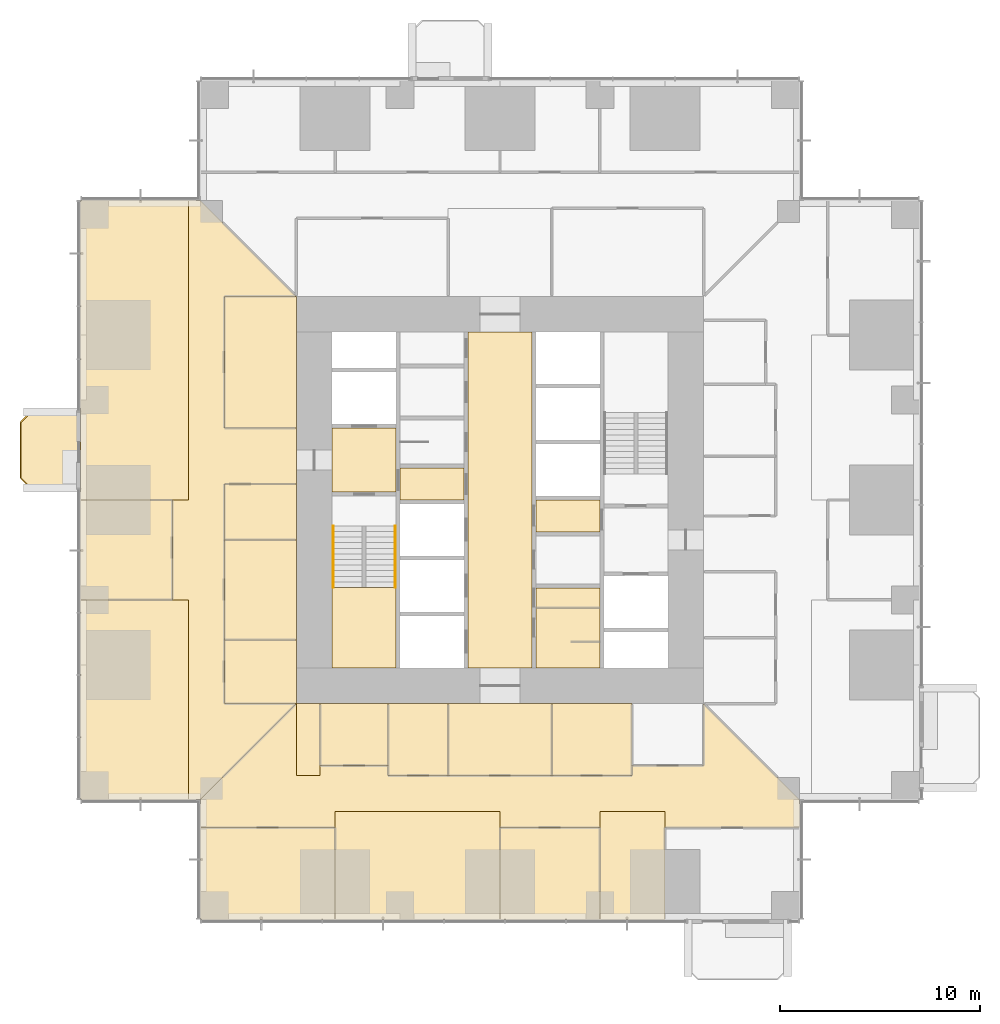
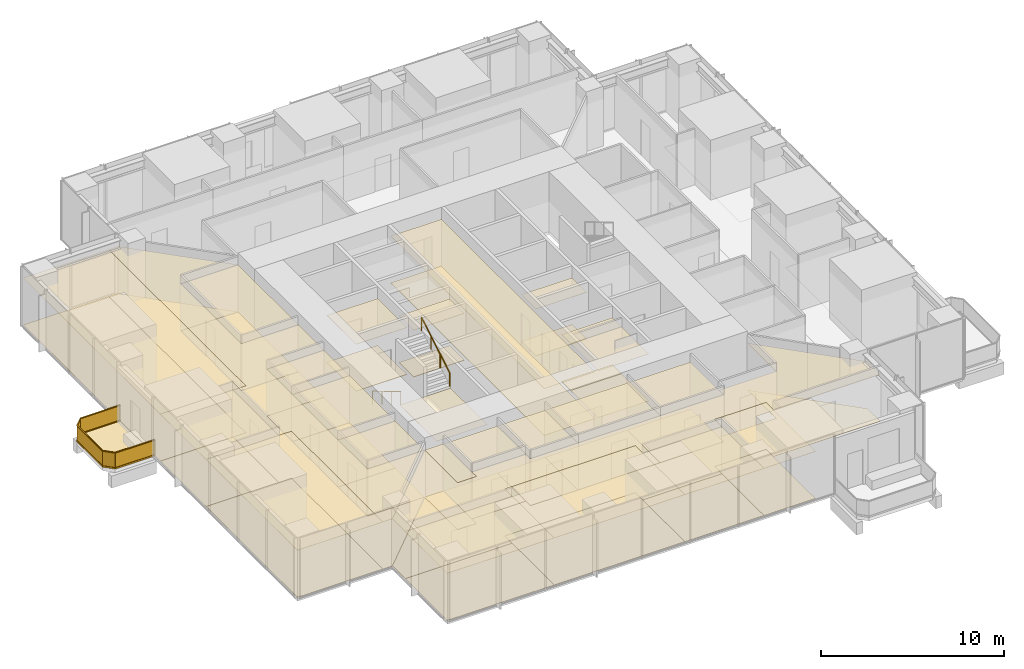
# One storey, part 13 of 16: 50 coverings, 3 railings.
"""IFC4 building model written with IfcOpenShell, lengths in metres."""

from ifc_helpers import new_model, si_unit, direction, frame, origin, origin_2d, place, context, subcontext, project, spatial, polyline, rectangle, circle, outline, extrude, material, layer, layer_set, type_object, element, save


model = new_model("IFC4")

# Units and contexts
model_context = context("Model", 3, precision=1e-05, world=origin(), true_north=direction((0.0, 1.0)))
body_context = subcontext(model_context, "Body", "Model", "MODEL_VIEW")
ifc_project = project(units=[si_unit("LENGTHUNIT", "METRE"), si_unit("AREAUNIT", "SQUARE_METRE"), si_unit("VOLUMEUNIT", "CUBIC_METRE"), si_unit("PLANEANGLEUNIT", "RADIAN"), si_unit("MASSUNIT", "GRAM", prefix="KILO")], contexts=[model_context])

# Site, building, storey
site_placement = place(None, origin())
site = spatial("IfcSite", under=ifc_project, at=site_placement, CompositionType="ELEMENT")
building_placement = place(site_placement, origin())
building = spatial("IfcBuilding", under=site, at=building_placement, Name="Svetlomir Tower", CompositionType="ELEMENT")
storey_placement = place(building_placement, frame((0.0, 0.0, 58.5)))
storey = spatial("IfcBuildingStorey", under=building, at=storey_placement, Name="L13", CompositionType="ELEMENT", Elevation=58.5)

# Railing
ifc_material_1 = material(Name="Bronze anodised aluminium and laminated glass", Category="aluminium")
railing_type_1 = type_object("IfcRailingType", Name="BALCONY GUARD GR1 1100", PredefinedType="GUARDRAIL", material=ifc_material_1)
railing_1_placement = place(storey_placement, frame((0.0, 25.39990234375, 0.0)))
element("IfcRailing", 1, at=railing_1_placement, inside=storey, type_object=railing_type_1, Name="Balcony guard W L13", PredefinedType="GUARDRAIL", context=body_context, shape_type="SweptSolid", body=[
    extrude(rectangle(XDim=0.06005859375, YDim=0.10009765625, at=origin_2d()), frame((0.0, 0.0, 0.050048828125), z_axis=(-1.0, 0.0, 0.0), x_axis=(0.0, -1.0, 0.0)), (0.0, 0.0, 1.0), 2.5),
    extrude(rectangle(XDim=0.021484375, YDim=0.960205078125, at=origin_2d()), frame((0.0, 0.0, 0.580078125), z_axis=(-1.0, 0.0, 0.0), x_axis=(0.0, -1.0, 0.0)), (0.0, 0.0, 1.0), 2.5),
    extrude(rectangle(XDim=0.06005859375, YDim=0.0400390625, at=origin_2d()), frame((0.0, 0.0, 1.080078125), z_axis=(-1.0, 0.0, 0.0), x_axis=(0.0, -1.0, 0.0)), (0.0, 0.0, 1.0), 2.5),
    extrude(rectangle(XDim=0.06005859375, YDim=0.10009765625, at=origin_2d()), frame((-2.5, 0.0, 0.050048828125), z_axis=(-0.707106781187, -0.707106781187, 0.0), x_axis=(0.707106781187, -0.707106781187, 0.0)), (0.0, 0.0, 1.0), 0.70703125),
    extrude(rectangle(XDim=0.021484375, YDim=0.960205078125, at=origin_2d()), frame((-2.5, 0.0, 0.580078125), z_axis=(-0.707106781187, -0.707106781187, 0.0), x_axis=(0.707106781187, -0.707106781187, 0.0)), (0.0, 0.0, 1.0), 0.70703125),
    extrude(rectangle(XDim=0.06005859375, YDim=0.0400390625, at=origin_2d()), frame((-2.5, 0.0, 1.080078125), z_axis=(-0.707106781187, -0.707106781187, 0.0), x_axis=(0.707106781187, -0.707106781187, 0.0)), (0.0, 0.0, 1.0), 0.70703125),
    extrude(rectangle(XDim=0.06005859375, YDim=0.10009765625, at=origin_2d()), frame((-3.0, -0.5, 0.050048828125), z_axis=(0.0, -1.0, 0.0), x_axis=(1.0, 0.0, 0.0)), (0.0, 0.0, 1.0), 2.7998046875),
    extrude(rectangle(XDim=0.021484375, YDim=0.960205078125, at=origin_2d()), frame((-3.0, -0.5, 0.580078125), z_axis=(0.0, -1.0, 0.0), x_axis=(1.0, 0.0, 0.0)), (0.0, 0.0, 1.0), 2.7998046875),
    extrude(rectangle(XDim=0.06005859375, YDim=0.0400390625, at=origin_2d()), frame((-3.0, -0.5, 1.080078125), z_axis=(0.0, -1.0, 0.0), x_axis=(1.0, 0.0, 0.0)), (0.0, 0.0, 1.0), 2.7998046875),
    extrude(rectangle(XDim=0.06005859375, YDim=0.10009765625, at=origin_2d()), frame((-3.0, -3.2998046875, 0.050048828125), z_axis=(0.707106781187, -0.707106781187, 0.0), x_axis=(0.707106781187, 0.707106781187, 0.0)), (0.0, 0.0, 1.0), 0.70703125),
    extrude(rectangle(XDim=0.021484375, YDim=0.960205078125, at=origin_2d()), frame((-3.0, -3.2998046875, 0.580078125), z_axis=(0.707106781187, -0.707106781187, 0.0), x_axis=(0.707106781187, 0.707106781187, 0.0)), (0.0, 0.0, 1.0), 0.70703125),
    extrude(rectangle(XDim=0.06005859375, YDim=0.0400390625, at=origin_2d()), frame((-3.0, -3.2998046875, 1.080078125), z_axis=(0.707106781187, -0.707106781187, 0.0), x_axis=(0.707106781187, 0.707106781187, 0.0)), (0.0, 0.0, 1.0), 0.70703125),
    extrude(rectangle(XDim=0.06005859375, YDim=0.10009765625, at=origin_2d()), frame((-2.5, -3.7998046875, 0.050048828125), z_axis=(1.0, 0.0, 0.0), x_axis=(0.0, 1.0, 0.0)), (0.0, 0.0, 1.0), 2.5),
    extrude(rectangle(XDim=0.021484375, YDim=0.960205078125, at=origin_2d()), frame((-2.5, -3.7998046875, 0.580078125), z_axis=(1.0, 0.0, 0.0), x_axis=(0.0, 1.0, 0.0)), (0.0, 0.0, 1.0), 2.5),
    extrude(rectangle(XDim=0.06005859375, YDim=0.0400390625, at=origin_2d()), frame((-2.5, -3.7998046875, 1.080078125), z_axis=(1.0, 0.0, 0.0), x_axis=(0.0, 1.0, 0.0)), (0.0, 0.0, 1.0), 2.5),
])

# Coverings
ifc_material_2 = material(Name="Granite paving slabs on pedestals", Category="masonry")
ifc_layer_1 = layer(ifc_material_2, 0.0400390625)
ifc_layer_set_1 = layer_set([ifc_layer_1], Name="Granite paving slabs on pedestals")
covering_type_1 = type_object("IfcCoveringType", Name="BALCONY PAVING 40", PredefinedType="USERDEFINED", material=ifc_layer_set_1)
covering_1_placement = place(storey_placement, origin())
element("IfcCovering", 2, at=covering_1_placement, inside=storey, type_object=covering_type_1, Name="Balcony paving W L13", ObjectType="BALCONY PAVING", PredefinedType="USERDEFINED", context=body_context, shape_type="SweptSolid", body=[
    extrude(outline(polyline([(-2.5, 21.60009765625), (0.0, 21.60009765625), (0.0, 25.39990234375), (-2.5, 25.39990234375), (-3.0, 24.89990234375), (-3.0, 22.10009765625), (-2.5, 21.60009765625)])), origin(), (0.0, 0.0, 1.0), 0.0400390625),
])
ifc_material_3 = material(Name="Carpet tile", Category="textile")
ifc_layer_2 = layer(ifc_material_3, 0.010009765625)
ifc_layer_set_2 = layer_set([ifc_layer_2], Name="Carpet tile")
covering_type_2 = type_object("IfcCoveringType", Name="CARPET TILE FLOOR 10", PredefinedType="FLOORING", material=ifc_layer_set_2)
covering_2_placement = place(storey_placement, origin())
element("IfcCovering", 3, at=covering_2_placement, inside=storey, type_object=covering_type_2, Name="Floor finish L13-14", PredefinedType="FLOORING", context=body_context, shape_type="SweptSolid", body=[
    extrude(outline(polyline([(12.0, 7.699951171875), (15.39990234375, 7.699951171875), (15.39990234375, 10.800048828125), (12.0, 10.800048828125), (12.0, 7.699951171875)])), origin(), (0.0, 0.0, 1.0), 0.010009765625),
])
covering_3_placement = place(storey_placement, origin())
element("IfcCovering", 4, at=covering_3_placement, inside=storey, type_object=covering_type_2, Name="Floor finish L13-15", PredefinedType="FLOORING", context=body_context, shape_type="SweptSolid", body=[
    extrude(outline(polyline([(15.39990234375, 7.199951171875), (18.39990234375, 7.199951171875), (18.39990234375, 10.800048828125), (15.39990234375, 10.800048828125), (15.39990234375, 7.199951171875)])), origin(), (0.0, 0.0, 1.0), 0.010009765625),
])
covering_4_placement = place(storey_placement, origin())
element("IfcCovering", 5, at=covering_4_placement, inside=storey, type_object=covering_type_2, Name="Floor finish L13-16", PredefinedType="FLOORING", context=body_context, shape_type="SweptSolid", body=[
    extrude(outline(polyline([(23.60009765625, 7.199951171875), (27.60009765625, 7.199951171875), (27.60009765625, 10.800048828125), (23.60009765625, 10.800048828125), (23.60009765625, 7.199951171875)])), origin(), (0.0, 0.0, 1.0), 0.010009765625),
])
covering_5_placement = place(storey_placement, origin())
element("IfcCovering", 6, at=covering_5_placement, inside=storey, type_object=covering_type_2, Name="Floor finish L13-18", PredefinedType="FLOORING", context=body_context, shape_type="SweptSolid", body=[
    extrude(outline(polyline([(6.0, 0.0), (12.75, 0.0), (12.75, 4.60009765625), (6.0, 4.60009765625), (6.0, 0.0)])), origin(), (0.0, 0.0, 1.0), 0.010009765625),
])
covering_6_placement = place(storey_placement, origin())
element("IfcCovering", 7, at=covering_6_placement, inside=storey, type_object=covering_type_2, Name="Floor finish L13-19", PredefinedType="FLOORING", context=body_context, shape_type="SweptSolid", body=[
    extrude(outline(polyline([(21.0, 0.0), (26.0, 0.0), (26.0, 4.60009765625), (21.0, 4.60009765625), (21.0, 0.0)])), origin(), (0.0, 0.0, 1.0), 0.010009765625),
])
covering_7_placement = place(storey_placement, origin())
element("IfcCovering", 8, at=covering_7_placement, inside=storey, type_object=covering_type_2, Name="Floor finish L13-31", PredefinedType="FLOORING", context=body_context, shape_type="SweptSolid", body=[
    extrude(outline(polyline([(7.199951171875, 10.800048828125), (10.800048828125, 10.800048828125), (10.800048828125, 14.0), (7.199951171875, 14.0), (7.199951171875, 10.800048828125)])), origin(), (0.0, 0.0, 1.0), 0.010009765625),
])
covering_8_placement = place(storey_placement, origin())
element("IfcCovering", 9, at=covering_8_placement, inside=storey, type_object=covering_type_2, Name="Floor finish L13-32", PredefinedType="FLOORING", context=body_context, shape_type="SweptSolid", body=[
    extrude(outline(polyline([(7.199951171875, 14.0), (10.800048828125, 14.0), (10.800048828125, 19.0), (7.199951171875, 19.0), (7.199951171875, 14.0)])), origin(), (0.0, 0.0, 1.0), 0.010009765625),
])
covering_9_placement = place(storey_placement, origin())
element("IfcCovering", 10, at=covering_9_placement, inside=storey, type_object=covering_type_2, Name="Floor finish L13-33", PredefinedType="FLOORING", context=body_context, shape_type="SweptSolid", body=[
    extrude(outline(polyline([(7.199951171875, 24.60009765625), (10.800048828125, 24.60009765625), (10.800048828125, 31.199951171875), (7.199951171875, 31.199951171875), (7.199951171875, 24.60009765625)])), origin(), (0.0, 0.0, 1.0), 0.010009765625),
])
covering_10_placement = place(storey_placement, origin())
element("IfcCovering", 11, at=covering_10_placement, inside=storey, type_object=covering_type_2, Name="Floor finish L13-34", PredefinedType="FLOORING", context=body_context, shape_type="SweptSolid", body=[
    extrude(outline(polyline([(0.0, 16.0), (4.60009765625, 16.0), (4.60009765625, 21.0), (0.0, 21.0), (0.0, 16.0)])), origin(), (0.0, 0.0, 1.0), 0.010009765625),
])
covering_11_placement = place(storey_placement, origin())
element("IfcCovering", 12, at=covering_11_placement, inside=storey, type_object=covering_type_2, Name="Floor finish L13-35", PredefinedType="FLOORING", context=body_context, shape_type="SweptSolid", body=[
    extrude(outline(polyline([(6.0, 6.0), (10.800048828125, 10.800048828125), (10.800048828125, 7.199951171875), (12.0, 7.199951171875), (12.0, 7.699951171875), (15.39990234375, 7.699951171875), (15.39990234375, 7.199951171875), (27.60009765625, 7.199951171875), (27.60009765625, 7.699951171875), (31.199951171875, 7.699951171875), (31.199951171875, 10.800048828125), (36.0, 6.0), (36.0, 4.60009765625), (29.25, 4.60009765625), (29.25, 5.39990234375), (26.0, 5.39990234375), (26.0, 4.60009765625), (21.0, 4.60009765625), (21.0, 5.39990234375), (12.75, 5.39990234375), (12.75, 4.60009765625), (6.0, 4.60009765625), (6.0, 6.0)])), origin(), (0.0, 0.0, 1.0), 0.010009765625),
])
covering_12_placement = place(storey_placement, origin())
element("IfcCovering", 13, at=covering_12_placement, inside=storey, type_object=covering_type_2, Name="Floor finish L13-38", PredefinedType="FLOORING", context=body_context, shape_type="SweptSolid", body=[
    extrude(outline(polyline([(5.39990234375, 6.0), (5.39990234375, 16.0), (4.60009765625, 16.0), (4.60009765625, 21.0), (5.39990234375, 21.0), (5.39990234375, 36.0), (6.0, 36.0), (10.800048828125, 31.199951171875), (7.199951171875, 31.199951171875), (7.199951171875, 24.60009765625), (10.800048828125, 24.60009765625), (10.800048828125, 21.800048828125), (7.199951171875, 21.800048828125), (7.199951171875, 10.800048828125), (10.800048828125, 10.800048828125), (6.0, 6.0), (5.39990234375, 6.0)])), origin(), (0.0, 0.0, 1.0), 0.010009765625),
])
covering_13_placement = place(storey_placement, origin())
element("IfcCovering", 14, at=covering_13_placement, inside=storey, type_object=covering_type_2, Name="Floor finish L13-39", PredefinedType="FLOORING", context=body_context, shape_type="SweptSolid", body=[
    extrude(outline(polyline([(12.75, 5.39990234375), (21.0, 5.39990234375), (21.0, 0.0), (12.75, 0.0), (12.75, 5.39990234375)])), origin(), (0.0, 0.0, 1.0), 0.010009765625),
])
covering_14_placement = place(storey_placement, origin())
element("IfcCovering", 15, at=covering_14_placement, inside=storey, type_object=covering_type_2, Name="Floor finish L13-40", PredefinedType="FLOORING", context=body_context, shape_type="SweptSolid", body=[
    extrude(outline(polyline([(26.0, 0.0), (26.0, 5.39990234375), (29.25, 5.39990234375), (29.25, 0.0), (26.0, 0.0)])), origin(), (0.0, 0.0, 1.0), 0.010009765625),
])
covering_15_placement = place(storey_placement, origin())
element("IfcCovering", 16, at=covering_15_placement, inside=storey, type_object=covering_type_2, Name="Floor finish L13-41", PredefinedType="FLOORING", context=body_context, shape_type="SweptSolid", body=[
    extrude(outline(polyline([(23.60009765625, 10.800048828125), (23.60009765625, 7.199951171875), (18.39990234375, 7.199951171875), (18.39990234375, 10.800048828125), (23.60009765625, 10.800048828125)])), origin(), (0.0, 0.0, 1.0), 0.010009765625),
])
covering_16_placement = place(storey_placement, origin())
element("IfcCovering", 17, at=covering_16_placement, inside=storey, type_object=covering_type_2, Name="Floor finish L13-42", PredefinedType="FLOORING", context=body_context, shape_type="SweptSolid", body=[
    extrude(outline(polyline([(12.0, 7.199951171875), (10.800048828125, 7.199951171875), (10.800048828125, 10.800048828125), (12.0, 10.800048828125), (12.0, 7.199951171875)])), origin(), (0.0, 0.0, 1.0), 0.010009765625),
])
covering_17_placement = place(storey_placement, origin())
element("IfcCovering", 18, at=covering_17_placement, inside=storey, type_object=covering_type_2, Name="Floor finish L13-49", PredefinedType="FLOORING", context=body_context, shape_type="SweptSolid", body=[
    extrude(outline(polyline([(0.0, 16.0), (5.39990234375, 16.0), (5.39990234375, 6.0), (0.0, 6.0), (0.0, 16.0)])), origin(), (0.0, 0.0, 1.0), 0.010009765625),
])
covering_18_placement = place(storey_placement, origin())
element("IfcCovering", 19, at=covering_18_placement, inside=storey, type_object=covering_type_2, Name="Floor finish L13-50", PredefinedType="FLOORING", context=body_context, shape_type="SweptSolid", body=[
    extrude(outline(polyline([(0.0, 36.0), (5.39990234375, 36.0), (5.39990234375, 21.0), (0.0, 21.0), (0.0, 36.0)])), origin(), (0.0, 0.0, 1.0), 0.010009765625),
])
covering_19_placement = place(storey_placement, origin())
element("IfcCovering", 20, at=covering_19_placement, inside=storey, type_object=covering_type_2, Name="Floor finish L13-51", PredefinedType="FLOORING", context=body_context, shape_type="SweptSolid", body=[
    extrude(outline(polyline([(7.199951171875, 19.0), (7.199951171875, 21.800048828125), (10.800048828125, 21.800048828125), (10.800048828125, 19.0), (7.199951171875, 19.0)])), origin(), (0.0, 0.0, 1.0), 0.010009765625),
])
ifc_material_4 = material(Name="Ceramic floor tile", Category="ceramic")
ifc_layer_3 = layer(ifc_material_4, 0.014892578125)
ifc_layer_set_3 = layer_set([ifc_layer_3], Name="Ceramic floor tile")
covering_type_3 = type_object("IfcCoveringType", Name="CERAMIC TILE FLOOR 15", PredefinedType="FLOORING", material=ifc_layer_set_3)
covering_20_placement = place(storey_placement, origin())
element("IfcCovering", 21, at=covering_20_placement, inside=storey, type_object=covering_type_3, Name="Floor finish L13-08", PredefinedType="FLOORING", context=body_context, shape_type="SweptSolid", body=[
    extrude(outline(polyline([(22.800048828125, 15.60009765625), (26.0, 15.60009765625), (26.0, 16.60009765625), (22.800048828125, 16.60009765625), (22.800048828125, 15.60009765625)])), origin(), (0.0, 0.0, 1.0), 0.014892578125),
])
covering_21_placement = place(storey_placement, origin())
element("IfcCovering", 22, at=covering_21_placement, inside=storey, type_object=covering_type_3, Name="Floor finish L13-09", PredefinedType="FLOORING", context=body_context, shape_type="SweptSolid", body=[
    extrude(outline(polyline([(22.800048828125, 12.60009765625), (26.0, 12.60009765625), (26.0, 15.60009765625), (22.800048828125, 15.60009765625), (22.800048828125, 12.60009765625)])), origin(), (0.0, 0.0, 1.0), 0.014892578125),
])

# Railings
ifc_material_5 = material(Name="Stainless steel", Category="steel")
railing_type_2 = type_object("IfcRailingType", Name="HANDRAIL HR1 900", PredefinedType="HANDRAIL", material=ifc_material_5)
railing_2_placement = place(storey_placement, frame((12.64990234375, 19.699951171875, 0.166748046875)))
element("IfcRailing", 23, at=railing_2_placement, inside=storey, type_object=railing_type_2, Name="Handrail S1 flight 1 L13", PredefinedType="HANDRAIL", context=body_context, shape_type="SweptSolid", body=[
    extrude(circle(Radius=0.02392578125, at=origin_2d()), frame((0.0, 0.0, 0.8759765625), z_axis=(0.0, -0.859290745958, 0.51148745235), x_axis=(1.0, 0.0, 0.0)), (0.0, 0.0, 1.0), 3.584228515625),
    extrude(circle(Radius=0.02099609375, at=origin_2d()), origin(), (0.0, 0.0, 1.0), 0.851806640625),
    extrude(circle(Radius=0.02099609375, at=origin_2d()), frame((0.0, -1.026611328125, 0.611083984375)), (0.0, 0.0, 1.0), 0.851806640625),
    extrude(circle(Radius=0.02099609375, at=origin_2d()), frame((0.0, -2.05322265625, 1.22216796875)), (0.0, 0.0, 1.0), 0.851806640625),
    extrude(circle(Radius=0.02099609375, at=origin_2d()), frame((0.0, -3.079833984375, 1.833251953125)), (0.0, 0.0, 1.0), 0.851806640625),
])
railing_3_placement = place(storey_placement, frame((15.75, 16.6201171875, 2.166748046875)))
element("IfcRailing", 24, at=railing_3_placement, inside=storey, type_object=railing_type_2, Name="Handrail S1 flight 2 L13", PredefinedType="HANDRAIL", context=body_context, shape_type="SweptSolid", body=[
    extrude(circle(Radius=0.02392578125, at=origin_2d()), frame((0.0, 0.0, 0.8759765625), z_axis=(0.0, 0.859290745958, 0.51148745235), x_axis=(-1.0, 0.0, 0.0)), (0.0, 0.0, 1.0), 3.584228515625),
    extrude(circle(Radius=0.02099609375, at=origin_2d()), origin(), (0.0, 0.0, 1.0), 0.851806640625),
    extrude(circle(Radius=0.02099609375, at=origin_2d()), frame((0.0, 1.026611328125, 0.611083984375)), (0.0, 0.0, 1.0), 0.851806640625),
    extrude(circle(Radius=0.02099609375, at=origin_2d()), frame((0.0, 2.05322265625, 1.22216796875)), (0.0, 0.0, 1.0), 0.851806640625),
    extrude(circle(Radius=0.02099609375, at=origin_2d()), frame((0.0, 3.079833984375, 1.833251953125)), (0.0, 0.0, 1.0), 0.851806640625),
])

# Coverings
ifc_material_6 = material(Name="Moisture resistant plasterboard ceiling", Category="gypsum")
ifc_layer_4 = layer(ifc_material_6, 0.012451171875)
ifc_layer_set_4 = layer_set([ifc_layer_4], Name="Moisture resistant plasterboard ceiling")
covering_type_4 = type_object("IfcCoveringType", Name="MOISTURE RESISTANT CEILING 12.5", PredefinedType="CEILING", material=ifc_layer_set_4)
covering_22_placement = place(storey_placement, frame((0.0, 0.0, 3.137451171875)))
element("IfcCovering", 25, at=covering_22_placement, inside=storey, type_object=covering_type_4, Name="Ceiling L13-08", PredefinedType="CEILING", context=body_context, shape_type="SweptSolid", body=[
    extrude(outline(polyline([(22.800048828125, 15.60009765625), (26.0, 15.60009765625), (26.0, 16.60009765625), (22.800048828125, 16.60009765625), (22.800048828125, 15.60009765625)])), origin(), (0.0, 0.0, 1.0), 0.012451171875),
])
covering_23_placement = place(storey_placement, frame((0.0, 0.0, 3.137451171875)))
element("IfcCovering", 26, at=covering_23_placement, inside=storey, type_object=covering_type_4, Name="Ceiling L13-09", PredefinedType="CEILING", context=body_context, shape_type="SweptSolid", body=[
    extrude(outline(polyline([(22.800048828125, 12.60009765625), (26.0, 12.60009765625), (26.0, 15.60009765625), (22.800048828125, 15.60009765625), (22.800048828125, 12.60009765625)])), origin(), (0.0, 0.0, 1.0), 0.012451171875),
])
ifc_material_7 = material(Name="Gypsum plasterboard ceiling", Category="gypsum")
ifc_layer_5 = layer(ifc_material_7, 0.014892578125)
ifc_layer_set_5 = layer_set([ifc_layer_5], Name="Gypsum plasterboard ceiling")
covering_type_5 = type_object("IfcCoveringType", Name="PLASTERBOARD CEILING 15", PredefinedType="CEILING", material=ifc_layer_set_5)
covering_24_placement = place(storey_placement, frame((0.0, 0.0, 3.135009765625)))
element("IfcCovering", 27, at=covering_24_placement, inside=storey, type_object=covering_type_5, Name="Ceiling L13-02", PredefinedType="CEILING", context=body_context, shape_type="SweptSolid", body=[
    extrude(outline(polyline([(12.60009765625, 21.39990234375), (15.800048828125, 21.39990234375), (15.800048828125, 24.60009765625), (12.60009765625, 24.60009765625), (12.60009765625, 21.39990234375)])), origin(), (0.0, 0.0, 1.0), 0.014892578125),
])
covering_25_placement = place(storey_placement, frame((0.0, 0.0, 3.135009765625)))
element("IfcCovering", 28, at=covering_25_placement, inside=storey, type_object=covering_type_5, Name="Ceiling L13-03", PredefinedType="CEILING", context=body_context, shape_type="SweptSolid", body=[
    extrude(outline(polyline([(16.0, 21.0), (19.199951171875, 21.0), (19.199951171875, 22.60009765625), (16.0, 22.60009765625), (16.0, 21.0)])), origin(), (0.0, 0.0, 1.0), 0.014892578125),
])
covering_26_placement = place(storey_placement, frame((0.0, 0.0, 3.135009765625)))
element("IfcCovering", 29, at=covering_26_placement, inside=storey, type_object=covering_type_5, Name="Ceiling L13-07", PredefinedType="CEILING", context=body_context, shape_type="SweptSolid", body=[
    extrude(outline(polyline([(19.39990234375, 12.60009765625), (22.60009765625, 12.60009765625), (22.60009765625, 29.39990234375), (19.39990234375, 29.39990234375), (19.39990234375, 12.60009765625)])), origin(), (0.0, 0.0, 1.0), 0.014892578125),
])
covering_27_placement = place(storey_placement, frame((0.0, 0.0, 3.135009765625)))
element("IfcCovering", 30, at=covering_27_placement, inside=storey, type_object=covering_type_5, Name="Ceiling L13-11", PredefinedType="CEILING", context=body_context, shape_type="SweptSolid", body=[
    extrude(outline(polyline([(22.800048828125, 19.39990234375), (26.0, 19.39990234375), (26.0, 21.0), (22.800048828125, 21.0), (22.800048828125, 19.39990234375)])), origin(), (0.0, 0.0, 1.0), 0.014892578125),
])
ifc_material_8 = material(Name="Studded rubber floor finish", Category="rubber")
ifc_layer_6 = layer(ifc_material_8, 0.006103515625)
ifc_layer_set_6 = layer_set([ifc_layer_6], Name="Studded rubber floor finish")
covering_type_6 = type_object("IfcCoveringType", Name="RUBBER LANDING FINISH 6", PredefinedType="FLOORING", material=ifc_layer_set_6)
covering_28_placement = place(storey_placement, frame((0.0, 0.0, 2.0)))
element("IfcCovering", 31, at=covering_28_placement, inside=storey, type_object=covering_type_6, Name="Stair S1 landing finish L13", PredefinedType="FLOORING", context=body_context, shape_type="SweptSolid", body=[
    extrude(outline(polyline([(12.60009765625, 12.60009765625), (15.800048828125, 12.60009765625), (15.800048828125, 16.6201171875), (12.60009765625, 16.6201171875), (12.60009765625, 12.60009765625)])), origin(), (0.0, 0.0, 1.0), 0.006103515625),
])
ifc_material_9 = material(Name="Mineral fibre ceiling tile", Category="mineral")
ifc_layer_7 = layer(ifc_material_9, 0.02001953125)
ifc_layer_set_7 = layer_set([ifc_layer_7], Name="Mineral fibre ceiling tile")
covering_type_7 = type_object("IfcCoveringType", Name="SUSPENDED CEILING 20", PredefinedType="CEILING", material=ifc_layer_set_7)
covering_29_placement = place(storey_placement, frame((0.0, 0.0, 3.1298828125)))
element("IfcCovering", 32, at=covering_29_placement, inside=storey, type_object=covering_type_7, Name="Ceiling L13-14", PredefinedType="CEILING", context=body_context, shape_type="SweptSolid", body=[
    extrude(outline(polyline([(12.0, 7.699951171875), (15.39990234375, 7.699951171875), (15.39990234375, 10.800048828125), (12.0, 10.800048828125), (12.0, 7.699951171875)])), origin(), (0.0, 0.0, 1.0), 0.02001953125),
])
covering_30_placement = place(storey_placement, frame((0.0, 0.0, 3.1298828125)))
element("IfcCovering", 33, at=covering_30_placement, inside=storey, type_object=covering_type_7, Name="Ceiling L13-15", PredefinedType="CEILING", context=body_context, shape_type="SweptSolid", body=[
    extrude(outline(polyline([(15.39990234375, 7.199951171875), (18.39990234375, 7.199951171875), (18.39990234375, 10.800048828125), (15.39990234375, 10.800048828125), (15.39990234375, 7.199951171875)])), origin(), (0.0, 0.0, 1.0), 0.02001953125),
])
covering_31_placement = place(storey_placement, frame((0.0, 0.0, 3.1298828125)))
element("IfcCovering", 34, at=covering_31_placement, inside=storey, type_object=covering_type_7, Name="Ceiling L13-16", PredefinedType="CEILING", context=body_context, shape_type="SweptSolid", body=[
    extrude(outline(polyline([(23.60009765625, 7.199951171875), (27.60009765625, 7.199951171875), (27.60009765625, 10.800048828125), (23.60009765625, 10.800048828125), (23.60009765625, 7.199951171875)])), origin(), (0.0, 0.0, 1.0), 0.02001953125),
])
covering_32_placement = place(storey_placement, frame((0.0, 0.0, 3.1298828125)))
element("IfcCovering", 35, at=covering_32_placement, inside=storey, type_object=covering_type_7, Name="Ceiling L13-18", PredefinedType="CEILING", context=body_context, shape_type="SweptSolid", body=[
    extrude(outline(polyline([(6.0, 0.0), (12.75, 0.0), (12.75, 4.60009765625), (6.0, 4.60009765625), (6.0, 0.0)])), origin(), (0.0, 0.0, 1.0), 0.02001953125),
])
covering_33_placement = place(storey_placement, frame((0.0, 0.0, 3.1298828125)))
element("IfcCovering", 36, at=covering_33_placement, inside=storey, type_object=covering_type_7, Name="Ceiling L13-19", PredefinedType="CEILING", context=body_context, shape_type="SweptSolid", body=[
    extrude(outline(polyline([(21.0, 0.0), (26.0, 0.0), (26.0, 4.60009765625), (21.0, 4.60009765625), (21.0, 0.0)])), origin(), (0.0, 0.0, 1.0), 0.02001953125),
])
covering_34_placement = place(storey_placement, frame((0.0, 0.0, 3.1298828125)))
element("IfcCovering", 37, at=covering_34_placement, inside=storey, type_object=covering_type_7, Name="Ceiling L13-31", PredefinedType="CEILING", context=body_context, shape_type="SweptSolid", body=[
    extrude(outline(polyline([(7.199951171875, 10.800048828125), (10.800048828125, 10.800048828125), (10.800048828125, 14.0), (7.199951171875, 14.0), (7.199951171875, 10.800048828125)])), origin(), (0.0, 0.0, 1.0), 0.02001953125),
])
covering_35_placement = place(storey_placement, frame((0.0, 0.0, 3.1298828125)))
element("IfcCovering", 38, at=covering_35_placement, inside=storey, type_object=covering_type_7, Name="Ceiling L13-32", PredefinedType="CEILING", context=body_context, shape_type="SweptSolid", body=[
    extrude(outline(polyline([(7.199951171875, 14.0), (10.800048828125, 14.0), (10.800048828125, 19.0), (7.199951171875, 19.0), (7.199951171875, 14.0)])), origin(), (0.0, 0.0, 1.0), 0.02001953125),
])
covering_36_placement = place(storey_placement, frame((0.0, 0.0, 3.1298828125)))
element("IfcCovering", 39, at=covering_36_placement, inside=storey, type_object=covering_type_7, Name="Ceiling L13-33", PredefinedType="CEILING", context=body_context, shape_type="SweptSolid", body=[
    extrude(outline(polyline([(7.199951171875, 24.60009765625), (10.800048828125, 24.60009765625), (10.800048828125, 31.199951171875), (7.199951171875, 31.199951171875), (7.199951171875, 24.60009765625)])), origin(), (0.0, 0.0, 1.0), 0.02001953125),
])
covering_37_placement = place(storey_placement, frame((0.0, 0.0, 3.1298828125)))
element("IfcCovering", 40, at=covering_37_placement, inside=storey, type_object=covering_type_7, Name="Ceiling L13-34", PredefinedType="CEILING", context=body_context, shape_type="SweptSolid", body=[
    extrude(outline(polyline([(0.0, 16.0), (4.60009765625, 16.0), (4.60009765625, 21.0), (0.0, 21.0), (0.0, 16.0)])), origin(), (0.0, 0.0, 1.0), 0.02001953125),
])
covering_38_placement = place(storey_placement, frame((0.0, 0.0, 3.1298828125)))
element("IfcCovering", 41, at=covering_38_placement, inside=storey, type_object=covering_type_7, Name="Ceiling L13-35", PredefinedType="CEILING", context=body_context, shape_type="SweptSolid", body=[
    extrude(outline(polyline([(6.0, 6.0), (10.800048828125, 10.800048828125), (10.800048828125, 7.199951171875), (12.0, 7.199951171875), (12.0, 7.699951171875), (15.39990234375, 7.699951171875), (15.39990234375, 7.199951171875), (27.60009765625, 7.199951171875), (27.60009765625, 7.699951171875), (31.199951171875, 7.699951171875), (31.199951171875, 10.800048828125), (36.0, 6.0), (36.0, 4.60009765625), (29.25, 4.60009765625), (29.25, 5.39990234375), (26.0, 5.39990234375), (26.0, 4.60009765625), (21.0, 4.60009765625), (21.0, 5.39990234375), (12.75, 5.39990234375), (12.75, 4.60009765625), (6.0, 4.60009765625), (6.0, 6.0)])), origin(), (0.0, 0.0, 1.0), 0.02001953125),
])
covering_39_placement = place(storey_placement, frame((0.0, 0.0, 3.1298828125)))
element("IfcCovering", 42, at=covering_39_placement, inside=storey, type_object=covering_type_7, Name="Ceiling L13-38", PredefinedType="CEILING", context=body_context, shape_type="SweptSolid", body=[
    extrude(outline(polyline([(5.39990234375, 6.0), (5.39990234375, 16.0), (4.60009765625, 16.0), (4.60009765625, 21.0), (5.39990234375, 21.0), (5.39990234375, 36.0), (6.0, 36.0), (10.800048828125, 31.199951171875), (7.199951171875, 31.199951171875), (7.199951171875, 24.60009765625), (10.800048828125, 24.60009765625), (10.800048828125, 21.800048828125), (7.199951171875, 21.800048828125), (7.199951171875, 10.800048828125), (10.800048828125, 10.800048828125), (6.0, 6.0), (5.39990234375, 6.0)])), origin(), (0.0, 0.0, 1.0), 0.02001953125),
])
covering_40_placement = place(storey_placement, frame((0.0, 0.0, 3.1298828125)))
element("IfcCovering", 43, at=covering_40_placement, inside=storey, type_object=covering_type_7, Name="Ceiling L13-39", PredefinedType="CEILING", context=body_context, shape_type="SweptSolid", body=[
    extrude(outline(polyline([(12.75, 5.39990234375), (21.0, 5.39990234375), (21.0, 0.0), (12.75, 0.0), (12.75, 5.39990234375)])), origin(), (0.0, 0.0, 1.0), 0.02001953125),
])
covering_41_placement = place(storey_placement, frame((0.0, 0.0, 3.1298828125)))
element("IfcCovering", 44, at=covering_41_placement, inside=storey, type_object=covering_type_7, Name="Ceiling L13-40", PredefinedType="CEILING", context=body_context, shape_type="SweptSolid", body=[
    extrude(outline(polyline([(26.0, 0.0), (26.0, 5.39990234375), (29.25, 5.39990234375), (29.25, 0.0), (26.0, 0.0)])), origin(), (0.0, 0.0, 1.0), 0.02001953125),
])
covering_42_placement = place(storey_placement, frame((0.0, 0.0, 3.1298828125)))
element("IfcCovering", 45, at=covering_42_placement, inside=storey, type_object=covering_type_7, Name="Ceiling L13-41", PredefinedType="CEILING", context=body_context, shape_type="SweptSolid", body=[
    extrude(outline(polyline([(23.60009765625, 10.800048828125), (23.60009765625, 7.199951171875), (18.39990234375, 7.199951171875), (18.39990234375, 10.800048828125), (23.60009765625, 10.800048828125)])), origin(), (0.0, 0.0, 1.0), 0.02001953125),
])
covering_43_placement = place(storey_placement, frame((0.0, 0.0, 3.1298828125)))
element("IfcCovering", 46, at=covering_43_placement, inside=storey, type_object=covering_type_7, Name="Ceiling L13-42", PredefinedType="CEILING", context=body_context, shape_type="SweptSolid", body=[
    extrude(outline(polyline([(12.0, 7.199951171875), (10.800048828125, 7.199951171875), (10.800048828125, 10.800048828125), (12.0, 10.800048828125), (12.0, 7.199951171875)])), origin(), (0.0, 0.0, 1.0), 0.02001953125),
])
covering_44_placement = place(storey_placement, frame((0.0, 0.0, 3.1298828125)))
element("IfcCovering", 47, at=covering_44_placement, inside=storey, type_object=covering_type_7, Name="Ceiling L13-49", PredefinedType="CEILING", context=body_context, shape_type="SweptSolid", body=[
    extrude(outline(polyline([(0.0, 16.0), (5.39990234375, 16.0), (5.39990234375, 6.0), (0.0, 6.0), (0.0, 16.0)])), origin(), (0.0, 0.0, 1.0), 0.02001953125),
])
covering_45_placement = place(storey_placement, frame((0.0, 0.0, 3.1298828125)))
element("IfcCovering", 48, at=covering_45_placement, inside=storey, type_object=covering_type_7, Name="Ceiling L13-50", PredefinedType="CEILING", context=body_context, shape_type="SweptSolid", body=[
    extrude(outline(polyline([(0.0, 36.0), (5.39990234375, 36.0), (5.39990234375, 21.0), (0.0, 21.0), (0.0, 36.0)])), origin(), (0.0, 0.0, 1.0), 0.02001953125),
])
covering_46_placement = place(storey_placement, frame((0.0, 0.0, 3.1298828125)))
element("IfcCovering", 49, at=covering_46_placement, inside=storey, type_object=covering_type_7, Name="Ceiling L13-51", PredefinedType="CEILING", context=body_context, shape_type="SweptSolid", body=[
    extrude(outline(polyline([(7.199951171875, 19.0), (7.199951171875, 21.800048828125), (10.800048828125, 21.800048828125), (10.800048828125, 19.0), (7.199951171875, 19.0)])), origin(), (0.0, 0.0, 1.0), 0.02001953125),
])
ifc_material_10 = material(Name="Bronze-aggregate terrazzo", Category="stone")
ifc_layer_8 = layer(ifc_material_10, 0.030029296875)
ifc_layer_set_8 = layer_set([ifc_layer_8], Name="Bronze-aggregate terrazzo")
covering_type_8 = type_object("IfcCoveringType", Name="TERRAZZO FLOOR 30", PredefinedType="FLOORING", material=ifc_layer_set_8)
covering_47_placement = place(storey_placement, origin())
element("IfcCovering", 50, at=covering_47_placement, inside=storey, type_object=covering_type_8, Name="Floor finish L13-02", PredefinedType="FLOORING", context=body_context, shape_type="SweptSolid", body=[
    extrude(outline(polyline([(12.60009765625, 21.39990234375), (15.800048828125, 21.39990234375), (15.800048828125, 24.60009765625), (12.60009765625, 24.60009765625), (12.60009765625, 21.39990234375)])), origin(), (0.0, 0.0, 1.0), 0.030029296875),
])
covering_48_placement = place(storey_placement, origin())
element("IfcCovering", 51, at=covering_48_placement, inside=storey, type_object=covering_type_8, Name="Floor finish L13-03", PredefinedType="FLOORING", context=body_context, shape_type="SweptSolid", body=[
    extrude(outline(polyline([(16.0, 21.0), (19.199951171875, 21.0), (19.199951171875, 22.60009765625), (16.0, 22.60009765625), (16.0, 21.0)])), origin(), (0.0, 0.0, 1.0), 0.030029296875),
])
covering_49_placement = place(storey_placement, origin())
element("IfcCovering", 52, at=covering_49_placement, inside=storey, type_object=covering_type_8, Name="Floor finish L13-07", PredefinedType="FLOORING", context=body_context, shape_type="SweptSolid", body=[
    extrude(outline(polyline([(19.39990234375, 12.60009765625), (22.60009765625, 12.60009765625), (22.60009765625, 29.39990234375), (19.39990234375, 29.39990234375), (19.39990234375, 12.60009765625)])), origin(), (0.0, 0.0, 1.0), 0.030029296875),
])
covering_50_placement = place(storey_placement, origin())
element("IfcCovering", 53, at=covering_50_placement, inside=storey, type_object=covering_type_8, Name="Floor finish L13-11", PredefinedType="FLOORING", context=body_context, shape_type="SweptSolid", body=[
    extrude(outline(polyline([(22.800048828125, 19.39990234375), (26.0, 19.39990234375), (26.0, 21.0), (22.800048828125, 21.0), (22.800048828125, 19.39990234375)])), origin(), (0.0, 0.0, 1.0), 0.030029296875),
])

save(model, "model.ifc")
